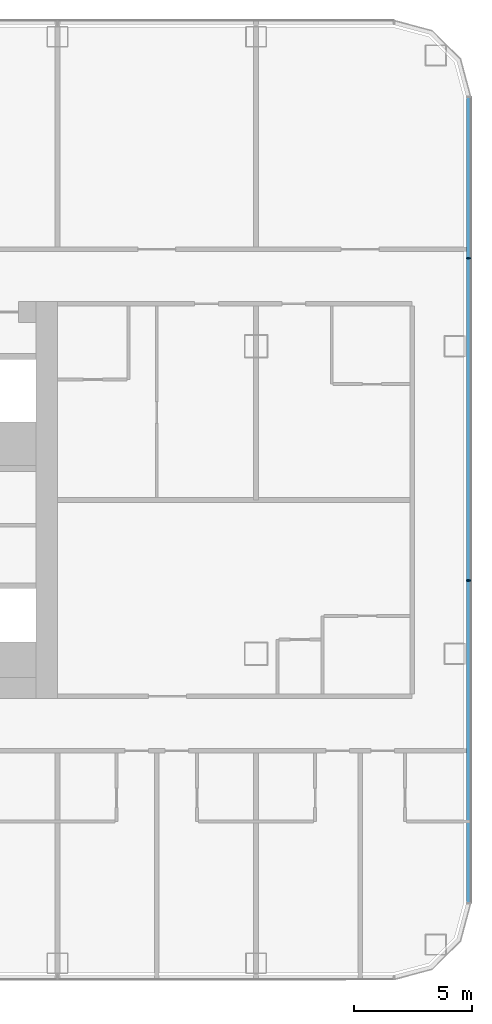
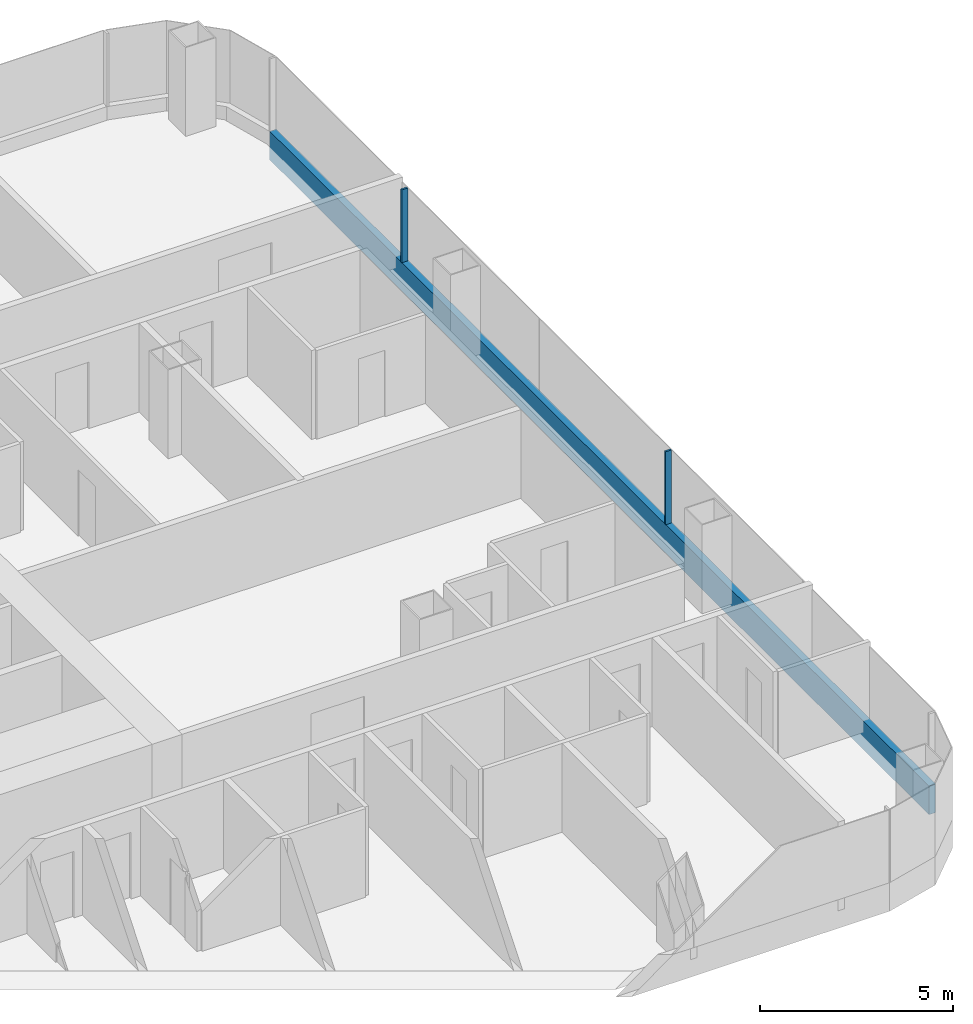
# One storey, part 10 of 29: 3 members, 1 element without a shape of its own.
"""IFC4 building model written with IfcOpenShell, lengths in metres."""

from ifc_helpers import new_model, si_unit, direction, frame, origin, origin_2d, place, context, subcontext, project, spatial, rectangle, extrude, material, layer, layer_set, material_profile, profile_set, type_object, element, aggregate, save


model = new_model("IFC4")

# Units and contexts
model_context = context("Model", 3, precision=1e-05, world=origin(), true_north=direction((0.0, 1.0)))
body_context = subcontext(model_context, "Body", "Model", "MODEL_VIEW")
ifc_project = project(units=[si_unit("LENGTHUNIT", "METRE"), si_unit("AREAUNIT", "SQUARE_METRE"), si_unit("VOLUMEUNIT", "CUBIC_METRE"), si_unit("PLANEANGLEUNIT", "RADIAN"), si_unit("MASSUNIT", "GRAM", prefix="KILO")], contexts=[model_context])

# Site, building, storey
site_placement = place(None, origin())
site = spatial("IfcSite", under=ifc_project, at=site_placement, CompositionType="ELEMENT")
building_placement = place(site_placement, origin())
building = spatial("IfcBuilding", under=site, at=building_placement, Name="Hakoniwa Tower and Hamabe Station Hall", CompositionType="ELEMENT")
storey_placement = place(building_placement, frame((0.0, 0.0, 23.0)))
storey = spatial("IfcBuildingStorey", under=building, at=storey_placement, Name="L05", CompositionType="ELEMENT", Elevation=23.0)

# Curtain wall, members
ifc_material_1 = material(Name="Dark low-e laminated glass", Category="glass")
ifc_layer = layer(ifc_material_1, 0.199951171875)
ifc_layer_set = layer_set([ifc_layer], Name="CW-1 UNITISED GUEST")
curtain_wall_type = type_object("IfcCurtainWallType", Name="CW-1 UNITISED GUEST", PredefinedType="NOTDEFINED", material=ifc_layer_set)
curtain_wall_placement = place(storey_placement, origin())
curtain_wall = element("IfcCurtainWall", 1, at=curtain_wall_placement, inside=storey, type_object=curtain_wall_type, Name="CW-1 curtain wall", PredefinedType="NOTDEFINED")
ifc_material_2 = material(Name="Aluminium 6063-T5 black anodised", Category="aluminium")
ifc_material_profile_1 = material_profile(ifc_material_2, rectangle(XDim=0.199951171875, YDim=0.89990234375, at=origin_2d()), Name="CW SLAB-EDGE BAND 900X200")
ifc_profile_set_1 = profile_set([ifc_material_profile_1], Name="Aluminium 6063-T5 black anodised")
member_type_1 = type_object("IfcMemberType", Name="CW SLAB-EDGE BAND 900X200", PredefinedType="USERDEFINED", material=ifc_profile_set_1)
member_1_placement = place(storey_placement, frame((51.0, -17.03955078125, -0.10009765625), z_axis=(0.0, 1.0, 0.0), x_axis=(-1.0, 0.0, 0.0)))
member_1 = element("IfcMember", 2, at=member_1_placement, type_object=member_type_1, Name="CW-1 transom", ObjectType="TRANSOM", PredefinedType="USERDEFINED", context=body_context, shape_type="SweptSolid", body=[
    extrude(rectangle(XDim=0.199951171875, YDim=0.89990234375, at=origin_2d()), origin(), (0.0, 0.0, 1.0), 34.0791015625),
])
ifc_material_3 = material(Name="Aluminium 6063-T5 black anodised", Category="aluminium")
ifc_material_profile_2 = material_profile(ifc_material_3, rectangle(XDim=0.06005859375, YDim=0.179931640625, at=origin_2d()), Name="CW-1 MULLION 60X180")
ifc_profile_set_2 = profile_set([ifc_material_profile_2], Name="Aluminium 6063-T5 black anodised")
member_type_2 = type_object("IfcMemberType", Name="CW-1 MULLION 60X180", PredefinedType="MULLION", material=ifc_profile_set_2)
member_2_placement = place(storey_placement, frame((50.98193359375, -3.407958984375, 0.35009765625), z_axis=(0.0, 0.0, 1.0), x_axis=(0.0, 1.0, 0.0)))
member_2 = element("IfcMember", 3, at=member_2_placement, type_object=member_type_2, Name="CW-1 mullion", PredefinedType="MULLION", context=body_context, shape_type="SweptSolid", body=[
    extrude(rectangle(XDim=0.06005859375, YDim=0.179931640625, at=origin_2d()), origin(), (0.0, 0.0, 1.0), 2.2998046875),
])
member_3_placement = place(storey_placement, frame((50.98193359375, 10.2236328125, 0.35009765625), z_axis=(0.0, 0.0, 1.0), x_axis=(0.0, 1.0, 0.0)))
member_3 = element("IfcMember", 4, at=member_3_placement, type_object=member_type_2, Name="CW-1 mullion", PredefinedType="MULLION", context=body_context, shape_type="SweptSolid", body=[
    extrude(rectangle(XDim=0.06005859375, YDim=0.179931640625, at=origin_2d()), origin(), (0.0, 0.0, 1.0), 2.2998046875),
])
aggregate(curtain_wall, [member_2, member_3, member_1])

save(model, "model.ifc")
